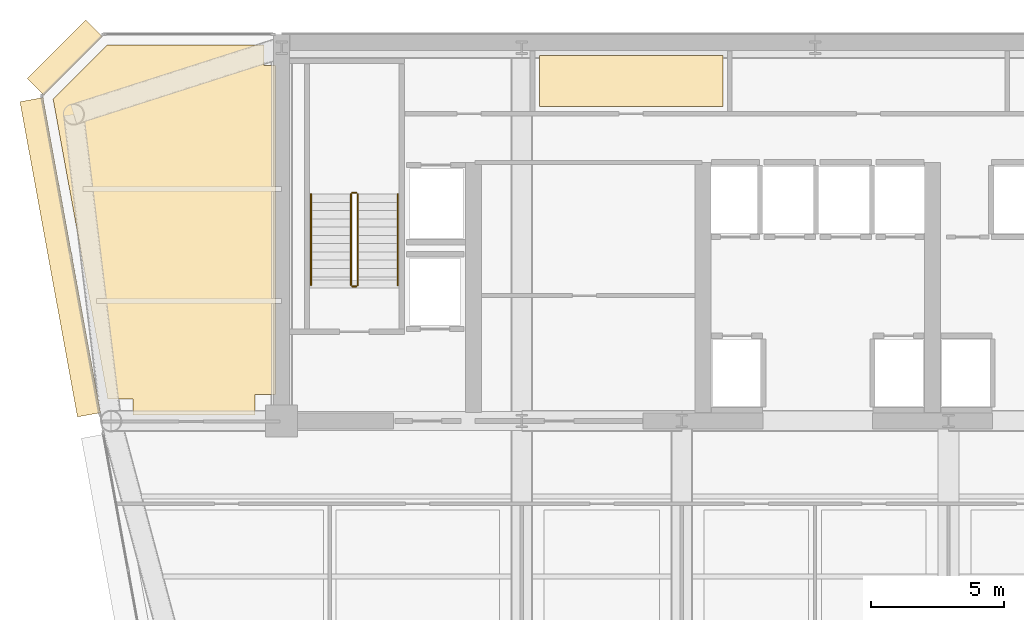
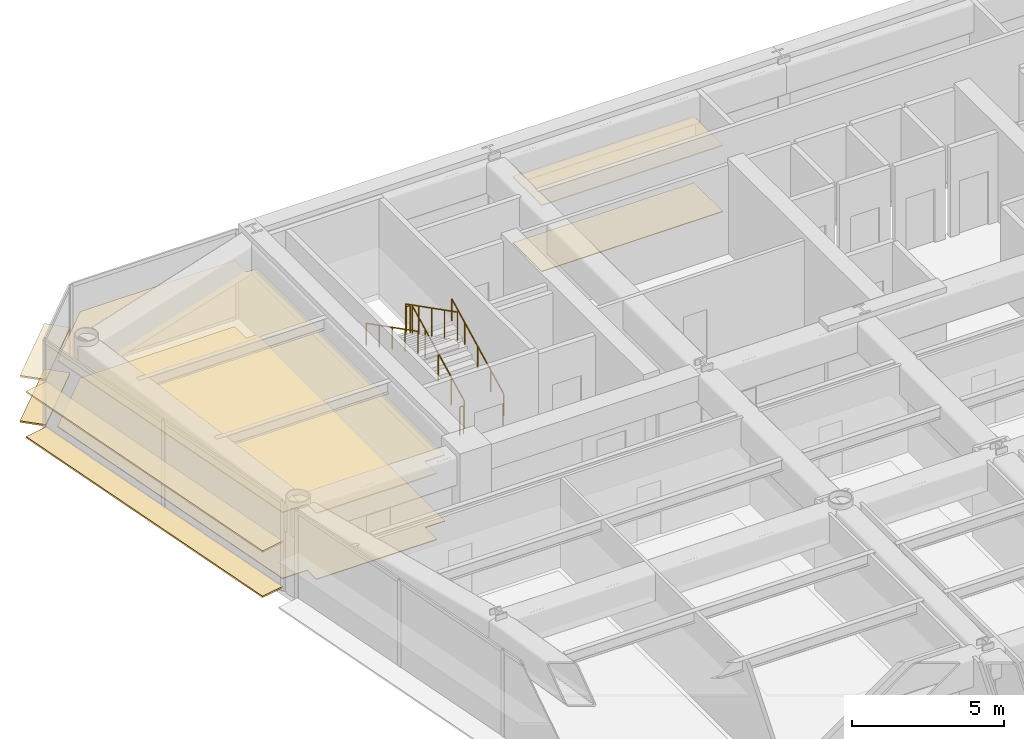
# One storey, part 15 of 17: 8 coverings, 6 railings.
"""IFC4 building model written with IfcOpenShell, lengths in metres."""

from ifc_helpers import new_model, si_unit, direction, frame, origin, origin_2d, place, context, subcontext, project, spatial, polyline, rectangle, circle, outline, extrude, source, transform, mapped, material, layer, layer_set, type_object, element, save


model = new_model("IFC4")

# Units and contexts
model_context = context("Model", 3, precision=1e-05, world=origin(), true_north=direction((0.0, 1.0)))
body_context = subcontext(model_context, "Body", "Model", "MODEL_VIEW")
ifc_project = project(units=[si_unit("LENGTHUNIT", "METRE"), si_unit("AREAUNIT", "SQUARE_METRE"), si_unit("VOLUMEUNIT", "CUBIC_METRE"), si_unit("PLANEANGLEUNIT", "RADIAN"), si_unit("MASSUNIT", "GRAM", prefix="KILO")], contexts=[model_context])

# Site, building, storey
site_placement = place(None, origin())
site = spatial("IfcSite", under=ifc_project, at=site_placement, CompositionType="ELEMENT")
building_placement = place(site_placement, origin())
building = spatial("IfcBuilding", under=site, at=building_placement, Name="Vaeldorn Concourse Tower", CompositionType="ELEMENT")
storey_placement = place(building_placement, frame((0.0, 0.0, 176.60009765625)))
storey = spatial("IfcBuildingStorey", under=building, at=storey_placement, Name="L45", CompositionType="ELEMENT", Elevation=176.60009765625)

# Coverings
ifc_material_1 = material(Name="Acoustic Mineral Fibre Board", Category="gypsum")
ifc_layer_1 = layer(ifc_material_1, 0.0400390625)
ifc_layer_set_1 = layer_set([ifc_layer_1], Name="Acoustic Mineral Fibre Board")
covering_type_1 = type_object("IfcCoveringType", Name="COV-CEIL-ACOUSTIC", PredefinedType="CEILING", material=ifc_layer_set_1)
covering_1_placement = place(storey_placement, frame((0.0, 0.0, 2.64990234375)))
element("IfcCovering", 1, at=covering_1_placement, inside=storey, type_object=covering_type_1, Name="Suspended Acoustic Ceiling L45-2", PredefinedType="CEILING", context=body_context, shape_type="SweptSolid", body=[
    extrude(outline(polyline([(30.5400390625, 50.199951171875), (30.5400390625, 48.300048828125), (23.659912109375, 48.300048828125), (23.659912109375, 50.199951171875), (30.5400390625, 50.199951171875)])), origin(), (0.0, 0.0, 1.0), 0.0400390625),
])
covering_2_placement = place(storey_placement, frame((0.0, 0.0, 2.64990234375)))
element("IfcCovering", 2, at=covering_2_placement, inside=storey, type_object=covering_type_1, Name="Suspended Acoustic Ceiling L45-3", PredefinedType="CEILING", context=body_context, shape_type="SweptSolid", body=[
    extrude(outline(polyline([(13.340087890625, 50.60009765625), (13.340087890625, 49.840087890625), (13.760009765625, 49.840087890625), (13.760009765625, 37.5), (13.0, 37.5), (13.0, 36.719970703125), (8.419921875, 36.719970703125), (8.419921875, 37.320068359375), (7.482421875, 37.320068359375), (5.43115234375, 48.5654296875), (7.4658203125, 50.60009765625), (13.340087890625, 50.60009765625)])), origin(), (0.0, 0.0, 1.0), 0.0400390625),
])
ifc_material_2 = material(Name="Honed Limestone Terrazzo Flooring", Category="masonry")
ifc_layer_2 = layer(ifc_material_2, 0.0400390625)
ifc_layer_set_2 = layer_set([ifc_layer_2], Name="Honed Limestone Terrazzo Flooring")
covering_type_2 = type_object("IfcCoveringType", Name="COV-FLOOR-STONE", PredefinedType="FLOORING", material=ifc_layer_set_2)
covering_3_placement = place(storey_placement, origin())
element("IfcCovering", 3, at=covering_3_placement, inside=storey, type_object=covering_type_2, Name="Floor Finish Covering L45-2", PredefinedType="FLOORING", context=body_context, shape_type="SweptSolid", body=[
    extrude(outline(polyline([(30.5400390625, 50.199951171875), (30.5400390625, 48.300048828125), (23.659912109375, 48.300048828125), (23.659912109375, 50.199951171875), (30.5400390625, 50.199951171875)])), origin(), (0.0, 0.0, 1.0), 0.02978515625),
])
covering_4_placement = place(storey_placement, origin())
element("IfcCovering", 4, at=covering_4_placement, inside=storey, type_object=covering_type_2, Name="Floor Finish Covering L45-3", PredefinedType="FLOORING", context=body_context, shape_type="SweptSolid", body=[
    extrude(outline(polyline([(13.340087890625, 50.60009765625), (13.340087890625, 49.840087890625), (13.760009765625, 49.840087890625), (13.760009765625, 37.5), (13.0, 37.5), (13.0, 36.719970703125), (8.419921875, 36.719970703125), (8.419921875, 37.320068359375), (7.482421875, 37.320068359375), (5.43115234375, 48.5654296875), (7.4658203125, 50.60009765625), (13.340087890625, 50.60009765625)])), origin(), (0.0, 0.0, 1.0), 0.02978515625),
])

# Railings
ifc_material_3 = material(Name="Anodised Bronze Aluminium", Category="aluminium")
railing_type_1 = type_object("IfcRailingType", Name="RL-STAIR-GUARD", PredefinedType="GUARDRAIL", material=ifc_material_3)
railing_1_placement = place(storey_placement, frame((16.85009765625, 41.60009765625, 0.158203125)))
element("IfcRailing", 5, at=railing_1_placement, inside=storey, type_object=railing_type_1, Name="L45 ST-1 stair guard 1", PredefinedType="GUARDRAIL", context=body_context, shape_type="SweptSolid", body=[
    extrude(circle(Radius=0.02392578125, at=origin_2d()), frame((0.0, 0.0, 1.1259765625), z_axis=(0.0, 0.890555807335, 0.454873997962), x_axis=(-1.0, 0.0, 0.0)), (0.0, 0.0, 1.0), 3.828857421875),
    extrude(circle(Radius=0.02099609375, at=origin_2d()), origin(), (0.0, 0.0, 1.0), 1.101806640625),
    extrude(circle(Radius=0.02099609375, at=origin_2d()), frame((0.0, 0.8525390625, 0.435546875)), (0.0, 0.0, 1.0), 1.101806640625),
    extrude(circle(Radius=0.02099609375, at=origin_2d()), frame((0.0, 1.705078125, 0.870849609375)), (0.0, 0.0, 1.0), 1.101806640625),
    extrude(circle(Radius=0.02099609375, at=origin_2d()), frame((0.0, 2.557373046875, 1.30615234375)), (0.0, 0.0, 1.0), 1.101806640625),
    extrude(circle(Radius=0.02099609375, at=origin_2d()), frame((0.0, 3.409912109375, 1.74169921875)), (0.0, 0.0, 1.0), 1.101806640625),
])
railing_2_placement = place(storey_placement, frame((16.800048828125, 45.06005859375, 1.89990234375)))
element("IfcRailing", 6, at=railing_2_placement, inside=storey, type_object=railing_type_1, Name="L45 ST-1 stair guard 2", PredefinedType="GUARDRAIL", context=body_context, shape_type="SweptSolid", body=[
    extrude(circle(Radius=0.02392578125, at=origin_2d()), frame((0.0, 0.0, 1.1259765625), z_axis=(-1.0, 0.0, 0.0), x_axis=(0.0, -1.0, 0.0)), (0.0, 0.0, 1.0), 0.150146484375),
    extrude(circle(Radius=0.02099609375, at=origin_2d()), origin(), (0.0, 0.0, 1.0), 1.101806640625),
    extrude(circle(Radius=0.02099609375, at=origin_2d()), frame((-0.150146484375, 0.0, 0.0)), (0.0, 0.0, 1.0), 1.101806640625),
])
railing_3_placement = place(storey_placement, frame((16.60009765625, 45.010009765625, 2.058349609375)))
element("IfcRailing", 7, at=railing_3_placement, inside=storey, type_object=railing_type_1, Name="L45 ST-1 stair guard 3", PredefinedType="GUARDRAIL", context=body_context, shape_type="SweptSolid", body=[
    extrude(circle(Radius=0.02392578125, at=origin_2d()), frame((0.0, 0.0, 1.1259765625), z_axis=(0.0, -0.890581635807, 0.454823427236), x_axis=(1.0, 0.0, 0.0)), (0.0, 0.0, 1.0), 3.828857421875),
    extrude(circle(Radius=0.02099609375, at=origin_2d()), origin(), (0.0, 0.0, 1.0), 1.101806640625),
    extrude(circle(Radius=0.02099609375, at=origin_2d()), frame((0.0, -0.8525390625, 0.435302734375)), (0.0, 0.0, 1.0), 1.101806640625),
    extrude(circle(Radius=0.02099609375, at=origin_2d()), frame((0.0, -1.705078125, 0.87060546875)), (0.0, 0.0, 1.0), 1.101806640625),
    extrude(circle(Radius=0.02099609375, at=origin_2d()), frame((0.0, -2.557373046875, 1.30615234375)), (0.0, 0.0, 1.0), 1.101806640625),
    extrude(circle(Radius=0.02099609375, at=origin_2d()), frame((0.0, -3.409912109375, 1.741455078125)), (0.0, 0.0, 1.0), 1.101806640625),
])
railing_4_placement = place(storey_placement, frame((16.800048828125, 41.550048828125, 0.0)))
element("IfcRailing", 8, at=railing_4_placement, inside=storey, type_object=railing_type_1, Name="L45 ST-1 stair guard 4", PredefinedType="GUARDRAIL", context=body_context, shape_type="SweptSolid", body=[
    extrude(circle(Radius=0.02392578125, at=origin_2d()), frame((0.0, 0.0, 1.1259765625), z_axis=(-1.0, 0.0, 0.0), x_axis=(0.0, -1.0, 0.0)), (0.0, 0.0, 1.0), 0.150146484375),
    extrude(circle(Radius=0.02099609375, at=origin_2d()), origin(), (0.0, 0.0, 1.0), 1.101806640625),
    extrude(circle(Radius=0.02099609375, at=origin_2d()), frame((-0.150146484375, 0.0, 0.0)), (0.0, 0.0, 1.0), 1.101806640625),
])
railing_type_2 = type_object("IfcRailingType", Name="RL-STAIR-HANDRAIL", PredefinedType="HANDRAIL", material=ifc_material_3)
railing_5_placement = place(storey_placement, frame((18.35009765625, 41.60009765625, 0.158203125)))
element("IfcRailing", 9, at=railing_5_placement, inside=storey, type_object=railing_type_2, Name="L45 ST-1 stair handrail 1", PredefinedType="HANDRAIL", context=body_context, shape_type="SweptSolid", body=[
    extrude(circle(Radius=0.02392578125, at=origin_2d()), frame((0.0, 0.0, 0.8759765625), z_axis=(0.0, 0.890555807335, 0.454873997962), x_axis=(-1.0, 0.0, 0.0)), (0.0, 0.0, 1.0), 3.828857421875),
    extrude(circle(Radius=0.02099609375, at=origin_2d()), origin(), (0.0, 0.0, 1.0), 0.851806640625),
    extrude(circle(Radius=0.02099609375, at=origin_2d()), frame((0.0, 0.8525390625, 0.435546875)), (0.0, 0.0, 1.0), 0.851806640625),
    extrude(circle(Radius=0.02099609375, at=origin_2d()), frame((0.0, 1.705078125, 0.870849609375)), (0.0, 0.0, 1.0), 0.851806640625),
    extrude(circle(Radius=0.02099609375, at=origin_2d()), frame((0.0, 2.557373046875, 1.30615234375)), (0.0, 0.0, 1.0), 0.851806640625),
    extrude(circle(Radius=0.02099609375, at=origin_2d()), frame((0.0, 3.409912109375, 1.74169921875)), (0.0, 0.0, 1.0), 0.851806640625),
])
railing_6_placement = place(storey_placement, frame((15.10009765625, 45.010009765625, 2.058349609375)))
element("IfcRailing", 10, at=railing_6_placement, inside=storey, type_object=railing_type_2, Name="L45 ST-1 stair handrail 2", PredefinedType="HANDRAIL", context=body_context, shape_type="SweptSolid", body=[
    extrude(circle(Radius=0.02392578125, at=origin_2d()), frame((0.0, 0.0, 0.8759765625), z_axis=(0.0, -0.890581635807, 0.454823427236), x_axis=(1.0, 0.0, 0.0)), (0.0, 0.0, 1.0), 3.828857421875),
    extrude(circle(Radius=0.02099609375, at=origin_2d()), origin(), (0.0, 0.0, 1.0), 0.851806640625),
    extrude(circle(Radius=0.02099609375, at=origin_2d()), frame((0.0, -0.8525390625, 0.435302734375)), (0.0, 0.0, 1.0), 0.851806640625),
    extrude(circle(Radius=0.02099609375, at=origin_2d()), frame((0.0, -1.705078125, 0.87060546875)), (0.0, 0.0, 1.0), 0.851806640625),
    extrude(circle(Radius=0.02099609375, at=origin_2d()), frame((0.0, -2.557373046875, 1.30615234375)), (0.0, 0.0, 1.0), 0.851806640625),
    extrude(circle(Radius=0.02099609375, at=origin_2d()), frame((0.0, -3.409912109375, 1.741455078125)), (0.0, 0.0, 1.0), 0.851806640625),
])

# Coverings
ifc_layer_3 = layer(ifc_material_3, 0.06494140625)
ifc_layer_set_3 = layer_set([ifc_layer_3], Name="Anodised Bronze Aluminium")
covering_type_3 = type_object("IfcCoveringType", Name="SD-BRONZE-SUNSHADE", PredefinedType="USERDEFINED", material=ifc_layer_set_3)
shared_shape_1 = source(origin(), body_context, "Body", "SweptSolid", [
    extrude(rectangle(XDim=3.0927734375, YDim=0.8798828125, at=origin_2d()), origin(), (0.0, 0.0, 1.0), 0.06494140625),
])
for number, where, z_axis, x_axis, name in (
    (11, (5.8671875, 50.1328125, 0.04736328125), (0.0, 0.0, 1.0), (-0.707106781187, -0.707106781187, 0.0), "Horizontal Bronze Sunshade L45-E10.1.1"),
    (12, (5.8671875, 50.1328125, 1.867431640625), (0.0, 0.0, 1.0), (-0.707106781187, -0.707106781187, 0.0), "Horizontal Bronze Sunshade L45-E10.1.2"),
):
    element("IfcCovering", number, at=place(storey_placement, frame(where, z_axis=z_axis, x_axis=x_axis)), inside=storey, type_object=covering_type_3, Name=name, ObjectType="SUNSHADE", PredefinedType="USERDEFINED", context=body_context, shape_type="MappedRepresentation", body=[
        mapped(shared_shape_1, transform((0.0, 0.0, 0.0), scale=1.0)),
    ])
shared_shape_2 = source(origin(), body_context, "Body", "SweptSolid", [
    extrude(rectangle(XDim=12.0078125, YDim=0.8798828125, at=origin_2d()), origin(), (0.0, 0.0, 1.0), 0.06494140625),
])
for number, where, z_axis, x_axis, name in (
    (13, (5.6982421875, 42.64306640625, 0.04736328125), (0.0, 0.0, 1.0), (0.179454713012, -0.983766235433, 0.0), "Horizontal Bronze Sunshade L45-E11.1.1"),
    (14, (5.6982421875, 42.64306640625, 1.867431640625), (0.0, 0.0, 1.0), (0.179454713012, -0.983766235433, 0.0), "Horizontal Bronze Sunshade L45-E11.1.2"),
):
    element("IfcCovering", number, at=place(storey_placement, frame(where, z_axis=z_axis, x_axis=x_axis)), inside=storey, type_object=covering_type_3, Name=name, ObjectType="SUNSHADE", PredefinedType="USERDEFINED", context=body_context, shape_type="MappedRepresentation", body=[
        mapped(shared_shape_2, transform((0.0, 0.0, 0.0), scale=1.0)),
    ])

save(model, "model.ifc")
